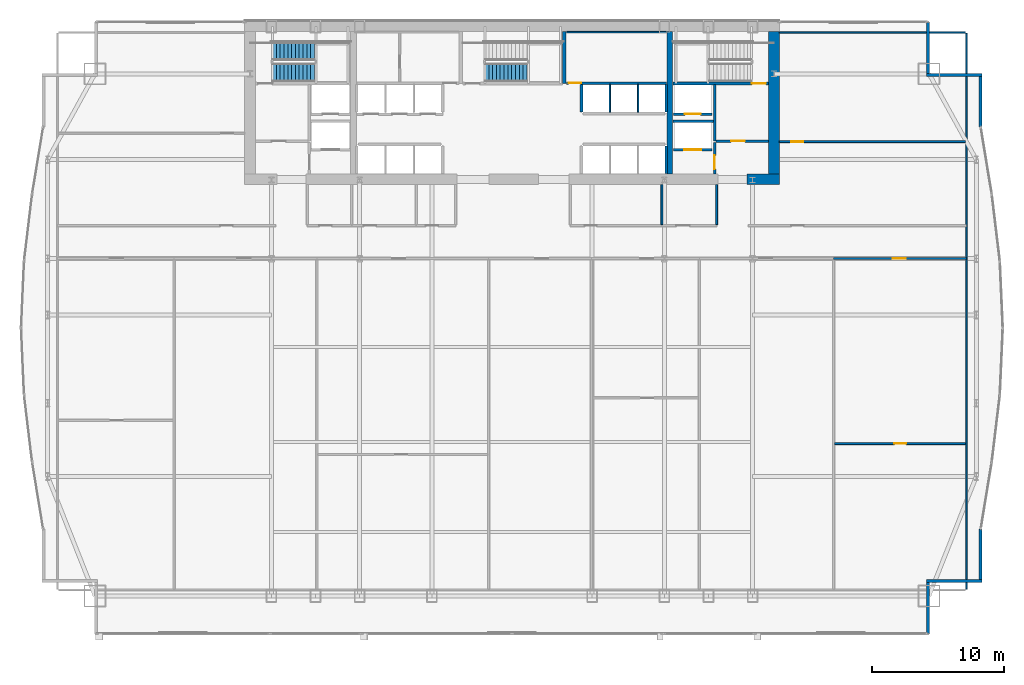
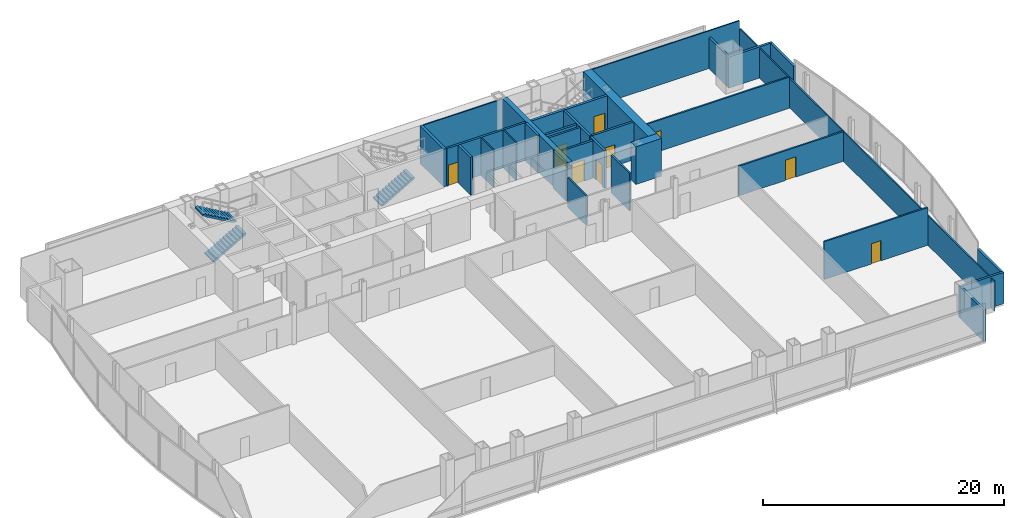
# One storey, part 29 of 32: 31 walls, 9 doors, 3 stair flights, 9 openings, 2 elements without a shape of their own.
"""IFC4 building model written with IfcOpenShell, lengths in metres."""

from ifc_helpers import new_model, si_unit, direction, frame, frame_2d, origin, place, context, subcontext, project, spatial, polyline, rectangle, outline, extrude, material, layer, layer_set, type_object, element, fill, aggregate, save


model = new_model("IFC4")

# Units and contexts
model_context = context("Model", 3, precision=1e-05, world=origin(), true_north=direction((0.0, 1.0)))
body_context = subcontext(model_context, "Body", "Model", "MODEL_VIEW")
ifc_project = project(units=[si_unit("LENGTHUNIT", "METRE"), si_unit("AREAUNIT", "SQUARE_METRE"), si_unit("VOLUMEUNIT", "CUBIC_METRE"), si_unit("PLANEANGLEUNIT", "RADIAN"), si_unit("MASSUNIT", "GRAM", prefix="KILO")], contexts=[model_context])

# Site, building, storey
site_placement = place(None, origin())
site = spatial("IfcSite", under=ifc_project, at=site_placement, CompositionType="ELEMENT")
building_placement = place(site_placement, origin())
building = spatial("IfcBuilding", under=site, at=building_placement, Name="Khoronbel Lancet Exchange", CompositionType="ELEMENT")
storey_placement = place(building_placement, frame((0.0, 0.0, 65.800048828125)))
storey = spatial("IfcBuildingStorey", under=building, at=storey_placement, Name="L15", CompositionType="ELEMENT", Elevation=65.800048828125)

# Walls
ifc_material_1 = material(Name="Concrete C80/95", Category="concrete")
ifc_layer_1 = layer(ifc_material_1, 0.800048828125, Name="Concrete C80/95")
ifc_layer_set_1 = layer_set([ifc_layer_1], Name="Concrete C80/95")
wall_type_1 = type_object("IfcWallType", Name="WL-CW1", PredefinedType="SHEAR", material=ifc_layer_set_1)
wall_1_placement = place(storey_placement, frame((56.300048828125, 52.89990234375, 0.0), z_axis=(0.0, 0.0, 1.0), x_axis=(0.0, -1.0, 0.0)))
element("IfcWall", 1, at=wall_1_placement, inside=storey, type_object=wall_type_1, Name="Level L15 rear core east shear wall", PredefinedType="SHEAR", context=body_context, shape_type="SweptSolid", body=[
    extrude(rectangle(XDim=10.7998046875, YDim=0.800048828125, at=frame_2d((5.39990234375, 0.0))), origin(), (0.0, 0.0, 1.0), 3.820068359375),
])
wall_2_placement = place(storey_placement, frame((56.699951171875, 41.699951171875, 0.0), z_axis=(0.0, 0.0, 1.0), x_axis=(-1.0, 0.0, 0.0)))
element("IfcWall", 2, at=wall_2_placement, inside=storey, type_object=wall_type_1, Name="Level L15 rear core south shear wall pier P5", PredefinedType="SHEAR", context=body_context, shape_type="SweptSolid", body=[
    extrude(rectangle(XDim=2.449951171875, YDim=0.800048828125, at=frame_2d((1.22509765625, 0.0))), origin(), (0.0, 0.0, 1.0), 3.820068359375),
])
ifc_material_2 = material(Name="Precast concrete C40/50", Category="concrete")
ifc_layer_2 = layer(ifc_material_2, 0.25, Name="Precast concrete C40/50")
ifc_layer_set_2 = layer_set([ifc_layer_2], Name="Precast concrete C40/50")
wall_type_2 = type_object("IfcWallType", Name="WL-EXT250", PredefinedType="SOLIDWALL", material=ifc_layer_set_2)
wall_3_placement = place(storey_placement, frame((67.9599609375, 53.6298828125, 0.0), z_axis=(0.0, 0.0, 1.0), x_axis=(0.0, -1.0, 0.0)))
element("IfcWall", 3, at=wall_3_placement, inside=storey, type_object=wall_type_2, Name="Level L15 notched-corner limestone pier 14", PredefinedType="SOLIDWALL", context=body_context, shape_type="SweptSolid", body=[
    extrude(rectangle(XDim=3.909912109375, YDim=0.219970703125, at=frame_2d((1.955078125, 0.0))), origin(), (0.0, 0.0, 1.0), 3.159912109375),
])
wall_4_placement = place(storey_placement, frame((67.85009765625, 49.610107421875, 0.0), z_axis=(0.0, 0.0, 1.0), x_axis=(1.0, 0.0, 0.0)))
element("IfcWall", 4, at=wall_4_placement, inside=storey, type_object=wall_type_2, Name="Level L15 notched-corner limestone pier 15", PredefinedType="SOLIDWALL", context=body_context, shape_type="SweptSolid", body=[
    extrude(rectangle(XDim=4.219970703125, YDim=0.219970703125, at=frame_2d((2.10986328125, 0.0))), origin(), (0.0, 0.0, 1.0), 3.159912109375),
])
for number, where, z_axis, x_axis, name in (
    (5, (71.9599609375, 49.5, 0.0), (0.0, 0.0, 1.0), (0.0, -1.0, 0.0), "Level L15 notched-corner limestone pier 16"),
    (6, (71.9599609375, 15.227294921875, 0.0), (0.0, 0.0, 1.0), (0.0, -1.0, 0.0), "Level L15 notched-corner limestone pier 23"),
):
    element("IfcWall", number, at=place(storey_placement, frame(where, z_axis=z_axis, x_axis=x_axis)), inside=storey, type_object=wall_type_2, Name=name, PredefinedType="SOLIDWALL", context=body_context, shape_type="SweptSolid", body=[
        extrude(rectangle(XDim=3.827392578125, YDim=0.219970703125, at=frame_2d((1.91357421875, 0.0))), origin(), (0.0, 0.0, 1.0), 3.159912109375),
    ])
wall_5_placement = place(storey_placement, frame((72.070068359375, 11.2900390625, 0.0), z_axis=(0.0, 0.0, 1.0), x_axis=(-1.0, 0.0, 0.0)))
element("IfcWall", 7, at=wall_5_placement, inside=storey, type_object=wall_type_2, Name="Level L15 notched-corner limestone pier 24", PredefinedType="SOLIDWALL", context=body_context, shape_type="SweptSolid", body=[
    extrude(rectangle(XDim=4.219970703125, YDim=0.219970703125, at=frame_2d((2.10986328125, 0.0))), origin(), (0.0, 0.0, 1.0), 3.159912109375),
])
wall_6_placement = place(storey_placement, frame((67.9599609375, 11.179931640625, 0.0), z_axis=(0.0, 0.0, 1.0), x_axis=(0.0, -1.0, 0.0)))
element("IfcWall", 8, at=wall_6_placement, inside=storey, type_object=wall_type_2, Name="Level L15 notched-corner limestone pier 25", PredefinedType="SOLIDWALL", context=body_context, shape_type="SweptSolid", body=[
    extrude(rectangle(XDim=3.909912109375, YDim=0.219970703125, at=frame_2d((1.955078125, 0.0))), origin(), (0.0, 0.0, 1.0), 3.159912109375),
])
ifc_material_3 = material(Name="Acoustic Metal-Stud & Mineral-Wool Gypsum Partition 120 mm", Category="gypsum")
ifc_layer_3 = layer(ifc_material_3, 0.1201171875, Name="Acoustic Metal-Stud & Mineral-Wool Gypsum Partition 120 mm")
ifc_layer_set_3 = layer_set([ifc_layer_3], Name="Acoustic Metal-Stud & Mineral-Wool Gypsum Partition 120 mm")
wall_type_3 = type_object("IfcWallType", Name="WL-PRT120", PredefinedType="PARTITIONING", material=ifc_layer_set_3)
wall_7_placement = place(storey_placement, frame((47.800048828125, 38.280029296875, 0.0), z_axis=(0.0, 0.0, 1.0), x_axis=(0.0, 1.0, 0.0)))
element("IfcWall", 9, at=wall_7_placement, inside=storey, type_object=wall_type_3, Name="Level L15 interior partition PW-NP-M", PredefinedType="PARTITIONING", context=body_context, shape_type="SweptSolid", body=[
    extrude(rectangle(XDim=3.02001953125, YDim=0.14990234375, at=frame_2d((1.510009765625, 0.0))), origin(), (0.0, 0.0, 1.0), 3.010009765625),
])
wall_8_placement = place(storey_placement, frame((51.949951171875, 38.280029296875, 0.0), z_axis=(0.0, 0.0, 1.0), x_axis=(0.0, 1.0, 0.0)))
element("IfcWall", 10, at=wall_8_placement, inside=storey, type_object=wall_type_3, Name="Level L15 interior partition PW-NP-1", PredefinedType="PARTITIONING", context=body_context, shape_type="SweptSolid", body=[
    extrude(rectangle(XDim=3.02001953125, YDim=0.14990234375, at=frame_2d((1.510009765625, 0.0))), origin(), (0.0, 0.0, 1.0), 3.820068359375),
])

# Wall, opening, door
wall_9_placement = place(storey_placement, frame((56.699951171875, 44.56005859375, 0.0), z_axis=(0.0, 0.0, 1.0), x_axis=(1.0, 0.0, 0.0)))
wall_9 = element("IfcWall", 11, at=wall_9_placement, inside=storey, type_object=wall_type_3, Name="Level L15 interior partition PW-NE-H", PredefinedType="PARTITIONING", context=body_context, shape_type="SweptSolid", body=[
    extrude(rectangle(XDim=14.10498046875, YDim=0.14990234375, at=frame_2d((7.052490234375, 0.0))), origin(), (0.0, 0.0, 1.0), 3.159912109375),
])
opening_1_placement = place(wall_9_placement, frame((0.89990234375, 0.0, 0.0)))
opening_1 = element("IfcOpeningElement", 12, at=opening_1_placement, cuts=wall_9, Name="Opening D5", PredefinedType="OPENING", context=body_context, shape_type="SweptSolid", body=[
    extrude(rectangle(XDim=0.89990234375, YDim=2.050048828125, at=frame_2d((0.449951171875, 1.02490234375))), frame((0.0, 0.0849609375, 0.0), z_axis=(0.0, -1.0, 0.0), x_axis=(1.0, 0.0, 0.0)), (0.0, 0.0, 1.0), 0.169921875),
])
ifc_material_4 = material(Name="Acoustic Timber Pantry & Support Door", Category="wood")
door_type_1 = type_object("IfcDoorType", Name="DR-D5", OperationType="NOTDEFINED", PredefinedType="DOOR", material=ifc_material_4)
door_1_placement = place(opening_1_placement, origin())
door_1 = element("IfcDoor", 13, at=door_1_placement, inside=storey, type_object=door_type_1, Name="NE north room door L15-1", OperationType="SINGLE_SWING_LEFT", OverallHeight=2.050048828125, OverallWidth=0.89990234375, PredefinedType="DOOR", context=body_context, shape_type="SweptSolid", body=[
    extrude(rectangle(XDim=0.89990234375, YDim=2.050048828125, at=frame_2d((0.449951171875, 1.02490234375))), frame((0.0, 0.02490234375, 0.0), z_axis=(0.0, -1.0, 0.0), x_axis=(1.0, 0.0, 0.0)), (0.0, 0.0, 1.0), 0.050048828125),
])
fill(opening_1, door_1)

wall_10_placement = place(storey_placement, frame((60.902587890625, 21.691650390625, 0.0), z_axis=(0.0, 0.0, 1.0), x_axis=(1.0, 0.0, 0.0)))
wall_10 = element("IfcWall", 14, at=wall_10_placement, inside=storey, type_object=wall_type_3, Name="Level L15 interior partition PW-Z1S-H7", PredefinedType="PARTITIONING", context=body_context, shape_type="SweptSolid", body=[
    extrude(rectangle(XDim=9.90234375, YDim=0.14990234375, at=frame_2d((4.951171875, 0.0))), origin(), (0.0, 0.0, 1.0), 3.820068359375),
])
opening_2_placement = place(wall_10_placement, frame((4.521240234375, 0.0, 0.0)))
opening_2 = element("IfcOpeningElement", 15, at=opening_2_placement, cuts=wall_10, Name="Opening D5", PredefinedType="OPENING", context=body_context, shape_type="SweptSolid", body=[
    extrude(rectangle(XDim=0.89990234375, YDim=2.050048828125, at=frame_2d((0.449951171875, 1.02490234375))), frame((0.0, 0.0849609375, 0.0), z_axis=(0.0, -1.0, 0.0), x_axis=(1.0, 0.0, 0.0)), (0.0, 0.0, 1.0), 0.169921875),
])
door_2_placement = place(opening_2_placement, origin())
door_2 = element("IfcDoor", 16, at=door_2_placement, inside=storey, type_object=door_type_1, Name="Z1S inner door 7 L15-1", OperationType="SINGLE_SWING_RIGHT", OverallHeight=2.050048828125, OverallWidth=0.89990234375, PredefinedType="DOOR", context=body_context, shape_type="SweptSolid", body=[
    extrude(rectangle(XDim=0.89990234375, YDim=2.050048828125, at=frame_2d((0.449951171875, 1.02490234375))), frame((0.0, 0.02490234375, 0.0), z_axis=(0.0, -1.0, 0.0), x_axis=(1.0, 0.0, 0.0)), (0.0, 0.0, 1.0), 0.050048828125),
])
fill(opening_2, door_2)

# Walls
wall_11_placement = place(storey_placement, frame((70.8701171875, 10.6650390625, 0.0), z_axis=(0.0, 0.0, 1.0), x_axis=(0.0, 1.0, 0.0)))
element("IfcWall", 17, at=wall_11_placement, inside=storey, type_object=wall_type_3, Name="Level L15 interior partition PW-LIN-E", PredefinedType="PARTITIONING", context=body_context, shape_type="SweptSolid", body=[
    extrude(rectangle(XDim=42.10986328125, YDim=0.1201171875, at=frame_2d((21.054931640625, 0.0))), origin(), (0.0, 0.0, 1.0), 3.010009765625),
])
wall_12_placement = place(storey_placement, frame((56.699951171875, 52.840087890625, 0.0), z_axis=(0.0, 0.0, 1.0), x_axis=(1.0, 0.0, 0.0)))
element("IfcWall", 18, at=wall_12_placement, inside=storey, type_object=wall_type_3, Name="Level L15 interior partition PW-LIN-NE", PredefinedType="PARTITIONING", context=body_context, shape_type="SweptSolid", body=[
    extrude(rectangle(XDim=14.10498046875, YDim=0.1201171875, at=frame_2d((7.052490234375, 0.0))), origin(), (0.0, 0.0, 1.0), 3.820068359375),
])
ifc_material_5 = material(Name="Fire-Rated Metal-Stud & Mineral-Wool Gypsum Partition 120 mm", Category="gypsum")
ifc_layer_4 = layer(ifc_material_5, 0.1201171875, Name="Fire-Rated Metal-Stud & Mineral-Wool Gypsum Partition 120 mm")
ifc_layer_set_4 = layer_set([ifc_layer_4], Name="Fire-Rated Metal-Stud & Mineral-Wool Gypsum Partition 120 mm")
wall_type_4 = type_object("IfcWallType", Name="WL-PRT120F", PredefinedType="PARTITIONING", material=ifc_layer_set_4)
for number, where, z_axis, x_axis, name in (
    (19, (43.860107421875, 46.804931640625, 0.0), (0.0, 0.0, 1.0), (0.0, 1.0, 0.0), "Level L15 interior partition CW-PH-D1"),
    (20, (46.0, 46.804931640625, 0.0), (0.0, 0.0, 1.0), (0.0, 1.0, 0.0), "Level L15 interior partition CW-PH-D2"),
):
    element("IfcWall", number, at=place(storey_placement, frame(where, z_axis=z_axis, x_axis=x_axis)), inside=storey, type_object=wall_type_4, Name=name, PredefinedType="PARTITIONING", context=body_context, shape_type="SweptSolid", body=[
        extrude(rectangle(XDim=2.090087890625, YDim=0.1201171875, at=frame_2d((1.044921875, 0.0))), origin(), (0.0, 0.0, 1.0), 3.820068359375),
    ])
wall_13_placement = place(storey_placement, frame((40.580078125, 52.860107421875, 0.0), z_axis=(0.0, 0.0, 1.0), x_axis=(1.0, 0.0, 0.0)))
element("IfcWall", 21, at=wall_13_placement, inside=storey, type_object=wall_type_4, Name="Level L15 interior partition CW-SUP-NE-N", PredefinedType="PARTITIONING", context=body_context, shape_type="SweptSolid", body=[
    extrude(rectangle(XDim=7.559814453125, YDim=0.1201171875, at=frame_2d((3.77978515625, 0.0))), origin(), (0.0, 0.0, 1.0), 3.820068359375),
])

# Wall, opening, door
ifc_material_6 = material(Name="Fire-Rated Twin-Stud Acoustic Gypsum Partition 160 mm", Category="gypsum")
ifc_layer_5 = layer(ifc_material_6, 0.159912109375, Name="Fire-Rated Twin-Stud Acoustic Gypsum Partition 160 mm")
ifc_layer_set_5 = layer_set([ifc_layer_5], Name="Fire-Rated Twin-Stud Acoustic Gypsum Partition 160 mm")
wall_type_5 = type_object("IfcWallType", Name="WL-PRT160C", PredefinedType="PARTITIONING", material=ifc_layer_set_5)
wall_14_placement = place(storey_placement, frame((60.822509765625, 35.699951171875, 0.0), z_axis=(0.0, 0.0, 1.0), x_axis=(1.0, 0.0, 0.0)))
wall_14 = element("IfcWall", 22, at=wall_14_placement, inside=storey, type_object=wall_type_5, Name="Level L15 interior partition PW-Z1S-COR7", PredefinedType="PARTITIONING", context=body_context, shape_type="SweptSolid", body=[
    extrude(rectangle(XDim=10.047607421875, YDim=0.159912109375, at=frame_2d((5.02392578125, 0.0))), origin(), (0.0, 0.0, 1.0), 3.010009765625),
])
opening_3_placement = place(wall_14_placement, frame((4.469970703125, 0.0, 0.0)))
opening_3 = element("IfcOpeningElement", 23, at=opening_3_placement, cuts=wall_14, Name="Opening D2", PredefinedType="OPENING", context=body_context, shape_type="SweptSolid", body=[
    extrude(rectangle(XDim=1.0, YDim=2.050048828125, at=frame_2d((0.5, 1.02490234375))), frame((0.0, 0.08984375, 0.0), z_axis=(0.0, -1.0, 0.0), x_axis=(1.0, 0.0, 0.0)), (0.0, 0.0, 1.0), 0.179931640625),
])
ifc_material_7 = material(Name="Acoustic Veneered Timber & Bronze Frame Door", Category="wood")
door_type_2 = type_object("IfcDoorType", Name="DR-D2", OperationType="NOTDEFINED", PredefinedType="DOOR", material=ifc_material_7)
door_3_placement = place(opening_3_placement, origin())
door_3 = element("IfcDoor", 24, at=door_3_placement, inside=storey, type_object=door_type_2, Name="Z1S bay 7 door L15-1", OperationType="SINGLE_SWING_LEFT", OverallHeight=2.050048828125, OverallWidth=1.0, PredefinedType="DOOR", context=body_context, shape_type="SweptSolid", body=[
    extrude(rectangle(XDim=1.0, YDim=2.050048828125, at=frame_2d((0.5, 1.02490234375))), frame((0.0, 0.02490234375, 0.0), z_axis=(0.0, -1.0, 0.0), x_axis=(1.0, 0.0, 0.0)), (0.0, 0.0, 1.0), 0.050048828125),
])
fill(opening_3, door_3)

ifc_material_8 = material(Name="Autoclaved Aerated Concrete Blockwork 200 mm", Category="masonry")
ifc_layer_6 = layer(ifc_material_8, 0.199951171875, Name="Autoclaved Aerated Concrete Blockwork 200 mm")
ifc_layer_set_6 = layer_set([ifc_layer_6], Name="Autoclaved Aerated Concrete Blockwork 200 mm")
wall_type_6 = type_object("IfcWallType", Name="WL-PRT200", PredefinedType="PARTITIONING", material=ifc_layer_set_6)
wall_15_placement = place(storey_placement, frame((51.610107421875, 43.949951171875, 0.0), z_axis=(0.0, 0.0, 1.0), x_axis=(-1.0, 0.0, 0.0)))
wall_15 = element("IfcWall", 25, at=wall_15_placement, inside=storey, type_object=wall_type_6, Name="Level L15 elevator hoistway landing front wall SVLE", PredefinedType="PARTITIONING", context=body_context, shape_type="SweptSolid", body=[
    extrude(rectangle(XDim=2.920166015625, YDim=0.199951171875, at=frame_2d((1.4599609375, 0.0))), origin(), (0.0, 0.0, 1.0), 3.820068359375),
])
opening_4_placement = place(wall_15_placement, frame((0.81005859375, 0.0, 0.0)))
opening_4 = element("IfcOpeningElement", 26, at=opening_4_placement, cuts=wall_15, Name="Opening LD-SVL2", PredefinedType="OPENING", context=body_context, shape_type="SweptSolid", body=[
    extrude(rectangle(XDim=1.300048828125, YDim=2.179931640625, at=frame_2d((0.64990234375, 1.08984375))), frame((0.0, 0.10986328125, 0.0), z_axis=(0.0, -1.0, 0.0), x_axis=(1.0, 0.0, 0.0)), (0.0, 0.0, 1.0), 0.219970703125),
])
ifc_material_9 = material(Name="Heavy-Duty Bi-Parting Goods Lift Landing Door", Category="steel")
door_type_3 = type_object("IfcDoorType", Name="DR-LD-SVL", OperationType="NOTDEFINED", PredefinedType="DOOR", material=ifc_material_9)
door_4_placement = place(opening_4_placement, origin())
door_4 = element("IfcDoor", 27, at=door_4_placement, inside=storey, type_object=door_type_3, Name="Elevator landing sliding door LD-SVL2 L15", OperationType="SLIDING_TO_LEFT", OverallHeight=2.179931640625, OverallWidth=1.300048828125, PredefinedType="DOOR", context=body_context, shape_type="SweptSolid", body=[
    extrude(rectangle(XDim=1.300048828125, YDim=2.179931640625, at=frame_2d((0.64990234375, 1.08984375))), frame((0.0, 0.02490234375, 0.0), z_axis=(0.0, -1.0, 0.0), x_axis=(1.0, 0.0, 0.0)), (0.0, 0.0, 1.0), 0.050048828125),
])
fill(opening_4, door_4)

wall_16_placement = place(storey_placement, frame((51.610107421875, 46.64990234375, 0.0), z_axis=(0.0, 0.0, 1.0), x_axis=(-1.0, 0.0, 0.0)))
wall_16 = element("IfcWall", 28, at=wall_16_placement, inside=storey, type_object=wall_type_6, Name="Level L15 elevator hoistway landing front wall FFLE", PredefinedType="PARTITIONING", context=body_context, shape_type="SweptSolid", body=[
    extrude(rectangle(XDim=2.920166015625, YDim=0.199951171875, at=frame_2d((1.4599609375, 0.0))), origin(), (0.0, 0.0, 1.0), 3.820068359375),
])
opening_5_placement = place(wall_16_placement, frame((0.860107421875, 0.0, 0.0)))
opening_5 = element("IfcOpeningElement", 29, at=opening_5_placement, cuts=wall_16, Name="Opening LD-FFL2", PredefinedType="OPENING", context=body_context, shape_type="SweptSolid", body=[
    extrude(rectangle(XDim=1.199951171875, YDim=2.179931640625, at=frame_2d((0.60009765625, 1.08984375))), frame((0.0, 0.10986328125, 0.0), z_axis=(0.0, -1.0, 0.0), x_axis=(1.0, 0.0, 0.0)), (0.0, 0.0, 1.0), 0.219970703125),
])
ifc_material_10 = material(Name="Fire-Rated Stainless Bi-Parting Firefighting Lift Door", Category="steel")
door_type_4 = type_object("IfcDoorType", Name="DR-LD-FFL", OperationType="NOTDEFINED", PredefinedType="DOOR", material=ifc_material_10)
door_5_placement = place(opening_5_placement, origin())
door_5 = element("IfcDoor", 30, at=door_5_placement, inside=storey, type_object=door_type_4, Name="Elevator landing sliding door LD-FFL2 L15", OperationType="SLIDING_TO_LEFT", OverallHeight=2.179931640625, OverallWidth=1.199951171875, PredefinedType="DOOR", context=body_context, shape_type="SweptSolid", body=[
    extrude(rectangle(XDim=1.199951171875, YDim=2.179931640625, at=frame_2d((0.60009765625, 1.08984375))), frame((0.0, 0.02490234375, 0.0), z_axis=(0.0, -1.0, 0.0), x_axis=(1.0, 0.0, 0.0)), (0.0, 0.0, 1.0), 0.050048828125),
])
fill(opening_5, door_5)

# Wall
wall_17_placement = place(storey_placement, frame((51.800048828125, 44.60009765625, 0.0), z_axis=(0.0, 0.0, 1.0), x_axis=(0.0, 1.0, 0.0)))
element("IfcWall", 31, at=wall_17_placement, inside=storey, type_object=wall_type_6, Name="Level L15 interior partition CW-FFLE-W", PredefinedType="PARTITIONING", context=body_context, shape_type="SweptSolid", body=[
    extrude(rectangle(XDim=4.2998046875, YDim=0.199951171875, at=frame_2d((2.14990234375, 0.0))), origin(), (0.0, 0.0, 1.0), 3.820068359375),
])

# Wall, opening, door
wall_18_placement = place(storey_placement, frame((51.89990234375, 44.60009765625, 0.0), z_axis=(0.0, 0.0, 1.0), x_axis=(1.0, 0.0, 0.0)))
wall_18 = element("IfcWall", 32, at=wall_18_placement, inside=storey, type_object=wall_type_6, Name="Level L15 interior partition CW-FFLE-S", PredefinedType="PARTITIONING", context=body_context, shape_type="SweptSolid", body=[
    extrude(rectangle(XDim=4.0, YDim=0.199951171875, at=frame_2d((2.0, 0.0))), origin(), (0.0, 0.0, 1.0), 3.820068359375),
])
opening_6_placement = place(wall_18_placement, frame((1.14990234375, 0.0, 0.0)))
opening_6 = element("IfcOpeningElement", 33, at=opening_6_placement, cuts=wall_18, Name="Opening FD1", PredefinedType="OPENING", context=body_context, shape_type="SweptSolid", body=[
    extrude(rectangle(XDim=1.050048828125, YDim=2.14990234375, at=frame_2d((0.52490234375, 1.074951171875))), frame((0.0, 0.10986328125, 0.0), z_axis=(0.0, -1.0, 0.0), x_axis=(1.0, 0.0, 0.0)), (0.0, 0.0, 1.0), 0.219970703125),
])
ifc_material_11 = material(Name="Fire-Rated Painted Steel Door Assembly", Category="steel")
door_type_5 = type_object("IfcDoorType", Name="DR-FD1", OperationType="NOTDEFINED", PredefinedType="DOOR", material=ifc_material_11)
door_6_placement = place(opening_6_placement, origin())
door_6 = element("IfcDoor", 34, at=door_6_placement, inside=storey, type_object=door_type_5, Name="East firefighting lobby FD90S door L15-1", OperationType="SINGLE_SWING_RIGHT", OverallHeight=2.14990234375, OverallWidth=1.050048828125, PredefinedType="DOOR", context=body_context, shape_type="SweptSolid", body=[
    extrude(rectangle(XDim=1.050048828125, YDim=2.14990234375, at=frame_2d((0.52490234375, 1.074951171875))), frame((0.0, 0.02490234375, 0.0), z_axis=(0.0, -1.0, 0.0), x_axis=(1.0, 0.0, 0.0)), (0.0, 0.0, 1.0), 0.050048828125),
])
fill(opening_6, door_6)

# Wall
wall_19_placement = place(storey_placement, frame((48.6298828125, 46.1201171875, 0.0), z_axis=(0.0, 0.0, 1.0), x_axis=(1.0, 0.0, 0.0)))
element("IfcWall", 35, at=wall_19_placement, inside=storey, type_object=wall_type_6, Name="Level L15 interior partition CW-FFL2-S", PredefinedType="PARTITIONING", context=body_context, shape_type="SweptSolid", body=[
    extrude(rectangle(XDim=3.070068359375, YDim=0.199951171875, at=frame_2d((1.53515625, 0.0))), origin(), (0.0, 0.0, 1.0), 3.820068359375),
])

# Wall, opening, door
wall_20_placement = place(storey_placement, frame((51.800048828125, 42.10009765625, 0.0), z_axis=(0.0, 0.0, 1.0), x_axis=(0.0, 1.0, 0.0)))
wall_20 = element("IfcWall", 36, at=wall_20_placement, inside=storey, type_object=wall_type_6, Name="Level L15 interior partition CW-SVLE-E", PredefinedType="PARTITIONING", context=body_context, shape_type="SweptSolid", body=[
    extrude(rectangle(XDim=2.39501953125, YDim=0.199951171875, at=frame_2d((1.197509765625, 0.0))), origin(), (0.0, 0.0, 1.0), 3.820068359375),
])
opening_7_placement = place(wall_20_placement, frame((0.3798828125, 0.0, 0.0)))
opening_7 = element("IfcOpeningElement", 37, at=opening_7_placement, cuts=wall_20, Name="Opening FD1", PredefinedType="OPENING", context=body_context, shape_type="SweptSolid", body=[
    extrude(rectangle(XDim=1.050048828125, YDim=2.14990234375, at=frame_2d((0.52490234375, 1.074951171875))), frame((0.0, 0.10986328125, 0.0), z_axis=(0.0, -1.0, 0.0), x_axis=(1.0, 0.0, 0.0)), (0.0, 0.0, 1.0), 0.219970703125),
])
door_7_placement = place(opening_7_placement, origin())
door_7 = element("IfcDoor", 38, at=door_7_placement, inside=storey, type_object=door_type_5, Name="East service lift lobby door L15-1", OperationType="SINGLE_SWING_LEFT", OverallHeight=2.14990234375, OverallWidth=1.050048828125, PredefinedType="DOOR", context=body_context, shape_type="SweptSolid", body=[
    extrude(rectangle(XDim=1.050048828125, YDim=2.14990234375, at=frame_2d((0.52490234375, 1.074951171875))), frame((0.0, 0.02490234375, 0.0), z_axis=(0.0, -1.0, 0.0), x_axis=(1.0, 0.0, 0.0)), (0.0, 0.0, 1.0), 0.050048828125),
])
fill(opening_7, door_7)

# Walls
for number, where, z_axis, x_axis, name in (
    (39, (41.719970703125, 46.804931640625, 0.0), (0.0, 0.0, 1.0), (0.0, 1.0, 0.0), "Level L15 interior partition CW-PH-W"),
    (40, (48.139892578125, 46.804931640625, 0.0), (0.0, 0.0, 1.0), (0.0, 1.0, 0.0), "Level L15 interior partition CW-PH-E"),
):
    element("IfcWall", number, at=place(storey_placement, frame(where, z_axis=z_axis, x_axis=x_axis)), inside=storey, type_object=wall_type_6, Name=name, PredefinedType="PARTITIONING", context=body_context, shape_type="SweptSolid", body=[
        extrude(rectangle(XDim=2.090087890625, YDim=0.199951171875, at=frame_2d((1.044921875, 0.0))), origin(), (0.0, 0.0, 1.0), 3.820068359375),
    ])
wall_21_placement = place(storey_placement, frame((48.139892578125, 42.14990234375, 0.0), z_axis=(0.0, 0.0, 1.0), x_axis=(0.0, 1.0, 0.0)))
element("IfcWall", 41, at=wall_21_placement, inside=storey, type_object=wall_type_6, Name="Level L15 interior partition CW-PX-E", PredefinedType="PARTITIONING", context=body_context, shape_type="SweptSolid", body=[
    extrude(rectangle(XDim=2.09521484375, YDim=0.199951171875, at=frame_2d((1.047607421875, 0.0))), origin(), (0.0, 0.0, 1.0), 3.820068359375),
])

# Wall, opening, door
wall_22_placement = place(storey_placement, frame((40.580078125, 49.0, 0.0), z_axis=(0.0, 0.0, 1.0), x_axis=(1.0, 0.0, 0.0)))
wall_22 = element("IfcWall", 42, at=wall_22_placement, inside=storey, type_object=wall_type_6, Name="Level L15 interior partition CW-SUP-NE-S", PredefinedType="PARTITIONING", context=body_context, shape_type="SweptSolid", body=[
    extrude(rectangle(XDim=7.559814453125, YDim=0.199951171875, at=frame_2d((3.77978515625, 0.0))), origin(), (0.0, 0.0, 1.0), 3.820068359375),
])
opening_8_placement = place(wall_22_placement, frame((0.159912109375, 0.0, 0.0)))
opening_8 = element("IfcOpeningElement", 43, at=opening_8_placement, cuts=wall_22, Name="Opening FD3", PredefinedType="OPENING", context=body_context, shape_type="SweptSolid", body=[
    extrude(rectangle(XDim=0.949951171875, YDim=2.10009765625, at=frame_2d((0.47509765625, 1.050048828125))), frame((0.0, 0.10986328125, 0.0), z_axis=(0.0, -1.0, 0.0), x_axis=(1.0, 0.0, 0.0)), (0.0, 0.0, 1.0), 0.219970703125),
])
ifc_material_12 = material(Name="Fire-Rated Steel Plant & Riser Door Assembly", Category="steel")
door_type_6 = type_object("IfcDoorType", Name="DR-FD3", OperationType="NOTDEFINED", PredefinedType="DOOR", material=ifc_material_12)
door_8_placement = place(opening_8_placement, origin())
door_8 = element("IfcDoor", 44, at=door_8_placement, inside=storey, type_object=door_type_6, Name="Core NE support room door L15-1", OperationType="SINGLE_SWING_RIGHT", OverallHeight=2.10009765625, OverallWidth=0.949951171875, PredefinedType="DOOR", context=body_context, shape_type="SweptSolid", body=[
    extrude(rectangle(XDim=0.949951171875, YDim=2.10009765625, at=frame_2d((0.47509765625, 1.050048828125))), frame((0.0, 0.02490234375, 0.0), z_axis=(0.0, -1.0, 0.0), x_axis=(1.0, 0.0, 0.0)), (0.0, 0.0, 1.0), 0.050048828125),
])
fill(opening_8, door_8)

# Walls
ifc_layer_7 = layer(ifc_material_1, 0.449951171875, Name="Concrete C80/95")
ifc_layer_set_7 = layer_set([ifc_layer_7], Name="Concrete C80/95")
wall_type_7 = type_object("IfcWallType", Name="WL-SW1", PredefinedType="SHEAR", material=ifc_layer_set_7)
wall_23_placement = place(storey_placement, frame((48.39990234375, 42.10009765625, 0.0), z_axis=(0.0, 0.0, 1.0), x_axis=(0.0, 1.0, 0.0)))
element("IfcWall", 45, at=wall_23_placement, inside=storey, type_object=wall_type_7, Name="Level L15 rear core internal spine shear wall IE", PredefinedType="SHEAR", context=body_context, shape_type="SweptSolid", body=[
    extrude(rectangle(XDim=10.7998046875, YDim=0.449951171875, at=frame_2d((5.39990234375, 0.0))), origin(), (0.0, 0.0, 1.0), 3.820068359375),
])
ifc_material_13 = material(Name="Concrete C60/75", Category="concrete")
ifc_layer_8 = layer(ifc_material_13, 0.260009765625, Name="Concrete C60/75")
ifc_layer_set_8 = layer_set([ifc_layer_8], Name="Concrete C60/75")
wall_type_8 = type_object("IfcWallType", Name="WL-SW3", PredefinedType="SHEAR", material=ifc_layer_set_8)
wall_24_placement = place(storey_placement, frame((40.419921875, 48.949951171875, 0.0), z_axis=(0.0, 0.0, 1.0), x_axis=(0.0, 1.0, 0.0)))
element("IfcWall", 46, at=wall_24_placement, inside=storey, type_object=wall_type_8, Name="Level L15 central stairwell structural shear wall ST3E", PredefinedType="SHEAR", context=body_context, shape_type="SweptSolid", body=[
    extrude(rectangle(XDim=3.949951171875, YDim=0.260009765625, at=frame_2d((1.97509765625, 0.0))), origin(), (0.0, 0.0, 1.0), 3.820068359375),
])

# Wall, opening, door
wall_25_placement = place(storey_placement, frame((48.6298828125, 48.97998046875, 0.0), z_axis=(0.0, 0.0, 1.0), x_axis=(1.0, 0.0, 0.0)))
wall_25 = element("IfcWall", 47, at=wall_25_placement, inside=storey, type_object=wall_type_8, Name="Level L15 east stairwell structural south wall", PredefinedType="SHEAR", context=body_context, shape_type="SweptSolid", body=[
    extrude(rectangle(XDim=7.27001953125, YDim=0.239990234375, at=frame_2d((3.635009765625, 0.0))), origin(), (0.0, 0.0, 1.0), 3.820068359375),
])
opening_9_placement = place(wall_25_placement, frame((6.0, 0.0, 0.0)))
opening_9 = element("IfcOpeningElement", 48, at=opening_9_placement, cuts=wall_25, Name="Opening SD1", PredefinedType="OPENING", context=body_context, shape_type="SweptSolid", body=[
    extrude(rectangle(XDim=1.050048828125, YDim=2.14990234375, at=frame_2d((0.52490234375, 1.074951171875))), frame((0.0, 0.1298828125, 0.0), z_axis=(0.0, -1.0, 0.0), x_axis=(1.0, 0.0, 0.0)), (0.0, 0.0, 1.0), 0.260009765625),
])
ifc_material_14 = material(Name="Fire-Rated Steel Stairwell Door Assembly", Category="steel")
door_type_7 = type_object("IfcDoorType", Name="DR-SD1", OperationType="NOTDEFINED", PredefinedType="DOOR", material=ifc_material_14)
door_9_placement = place(opening_9_placement, origin())
door_9 = element("IfcDoor", 49, at=door_9_placement, inside=storey, type_object=door_type_7, Name="Protected exit stair ST2 door L15", OperationType="SINGLE_SWING_RIGHT", OverallHeight=2.14990234375, OverallWidth=1.050048828125, PredefinedType="DOOR", context=body_context, shape_type="SweptSolid", body=[
    extrude(rectangle(XDim=1.050048828125, YDim=2.14990234375, at=frame_2d((0.52490234375, 1.074951171875))), frame((0.0, 0.02490234375, 0.0), z_axis=(0.0, -1.0, 0.0), x_axis=(1.0, 0.0, 0.0)), (0.0, 0.0, 1.0), 0.050048828125),
])
fill(opening_9, door_9)

# Stair, stair flights
ifc_material_15 = material(Name="Concrete C40/50", Category="concrete")
stair_type = type_object("IfcStairType", Name="STR-CORE150", PredefinedType="HALF_TURN_STAIR", material=ifc_material_15)
stair_1_placement = place(storey_placement, origin())
stair_1 = element("IfcStair", 50, at=stair_1_placement, inside=storey, type_object=stair_type, Name="L15 Protected Exit Stair ST1", PredefinedType="HALF_TURN_STAIR")
stair_flight_type = type_object("IfcStairFlightType", Name="STF-150", PredefinedType="STRAIGHT", material=ifc_material_15)
stair_flight_1_placement = place(storey_placement, frame((18.300048828125, 49.81005859375, 0.0), z_axis=(0.0, 0.0, 1.0), x_axis=(1.0, 0.0, 0.0)))
stair_flight_1 = element("IfcStairFlight", 51, at=stair_flight_1_placement, type_object=stair_flight_type, Name="ST1 flight 1", NumberOfRisers=12, NumberOfTreads=11, PredefinedType="STRAIGHT", RiserHeight=0.166666667, TreadLength=0.29, context=body_context, shape_type="SweptSolid", body=[
    extrude(outline(polyline([(0.0, 0.0), (0.0, 0.166748046875), (0.2900390625, 0.166748046875), (0.2900390625, 0.333251953125), (0.580078125, 0.333251953125), (0.580078125, 0.5), (0.8701171875, 0.5), (0.8701171875, 0.666748046875), (1.159912109375, 0.666748046875), (1.159912109375, 0.833251953125), (1.449951171875, 0.833251953125), (1.449951171875, 1.0), (1.739990234375, 1.0), (1.739990234375, 1.166748046875), (2.030029296875, 1.166748046875), (2.030029296875, 1.333251953125), (2.320068359375, 1.333251953125), (2.320068359375, 1.5), (2.610107421875, 1.5), (2.610107421875, 1.666748046875), (2.89990234375, 1.666748046875), (2.89990234375, 1.833251953125), (3.18994140625, 1.833251953125), (3.18994140625, 2.0), (3.18994140625, 1.660400390625), (0.30078125, 0.0), (0.0, 0.0)])), frame((0.0, 0.68994140625, 0.0), z_axis=(0.0, -1.0, 0.0), x_axis=(1.0, 0.0, 0.0)), (0.0, 0.0, 1.0), 1.3798828125),
])
stair_flight_2_placement = place(storey_placement, frame((21.489990234375, 51.409912109375, 2.0), z_axis=(0.0, 0.0, 1.0), x_axis=(-1.0, 0.0, 0.0)))
stair_flight_2 = element("IfcStairFlight", 52, at=stair_flight_2_placement, type_object=stair_flight_type, Name="ST1 flight 2", NumberOfRisers=12, NumberOfTreads=11, PredefinedType="STRAIGHT", RiserHeight=0.166666667, TreadLength=0.29, context=body_context, shape_type="SweptSolid", body=[
    extrude(outline(polyline([(0.0, 0.0), (0.0, 0.166748046875), (0.2900390625, 0.166748046875), (0.2900390625, 0.333251953125), (0.580078125, 0.333251953125), (0.580078125, 0.5), (0.8701171875, 0.5), (0.8701171875, 0.666748046875), (1.159912109375, 0.666748046875), (1.159912109375, 0.833251953125), (1.449951171875, 0.833251953125), (1.449951171875, 1.0), (1.739990234375, 1.0), (1.739990234375, 1.166748046875), (2.030029296875, 1.166748046875), (2.030029296875, 1.333251953125), (2.320068359375, 1.333251953125), (2.320068359375, 1.5), (2.610107421875, 1.5), (2.610107421875, 1.666748046875), (2.89990234375, 1.666748046875), (2.89990234375, 1.833251953125), (3.18994140625, 1.833251953125), (3.18994140625, 2.0), (3.18994140625, 1.660400390625), (0.30078125, 0.0), (0.0, 0.0)])), frame((0.0, 0.68994140625, 0.0), z_axis=(0.0, -1.0, 0.0), x_axis=(1.0, 0.0, 0.0)), (0.0, 0.0, 1.0), 1.3798828125),
])
aggregate(stair_1, [stair_flight_1, stair_flight_2])

# Stair, stair flight
stair_2_placement = place(storey_placement, origin())
stair_2 = element("IfcStair", 53, at=stair_2_placement, inside=storey, type_object=stair_type, Name="L15 Protected Exit Stair ST3", PredefinedType="HALF_TURN_STAIR")
stair_flight_3_placement = place(storey_placement, frame((34.39990234375, 49.81005859375, 0.0), z_axis=(0.0, 0.0, 1.0), x_axis=(1.0, 0.0, 0.0)))
stair_flight_3 = element("IfcStairFlight", 54, at=stair_flight_3_placement, type_object=stair_flight_type, Name="ST3 flight 1", NumberOfRisers=12, NumberOfTreads=11, PredefinedType="STRAIGHT", RiserHeight=0.166666667, TreadLength=0.29, context=body_context, shape_type="SweptSolid", body=[
    extrude(outline(polyline([(0.0, 0.0), (0.0, 0.166748046875), (0.2900390625, 0.166748046875), (0.2900390625, 0.333251953125), (0.580078125, 0.333251953125), (0.580078125, 0.5), (0.8701171875, 0.5), (0.8701171875, 0.666748046875), (1.159912109375, 0.666748046875), (1.159912109375, 0.833251953125), (1.449951171875, 0.833251953125), (1.449951171875, 1.0), (1.739990234375, 1.0), (1.739990234375, 1.166748046875), (2.030029296875, 1.166748046875), (2.030029296875, 1.333251953125), (2.320068359375, 1.333251953125), (2.320068359375, 1.5), (2.610107421875, 1.5), (2.610107421875, 1.666748046875), (2.89990234375, 1.666748046875), (2.89990234375, 1.833251953125), (3.18994140625, 1.833251953125), (3.18994140625, 2.0), (3.18994140625, 1.660400390625), (0.30078125, 0.0), (0.0, 0.0)])), frame((0.0, 0.68994140625, 0.0), z_axis=(0.0, -1.0, 0.0), x_axis=(1.0, 0.0, 0.0)), (0.0, 0.0, 1.0), 1.3798828125),
])
aggregate(stair_2, [stair_flight_3])

save(model, "model.ifc")
